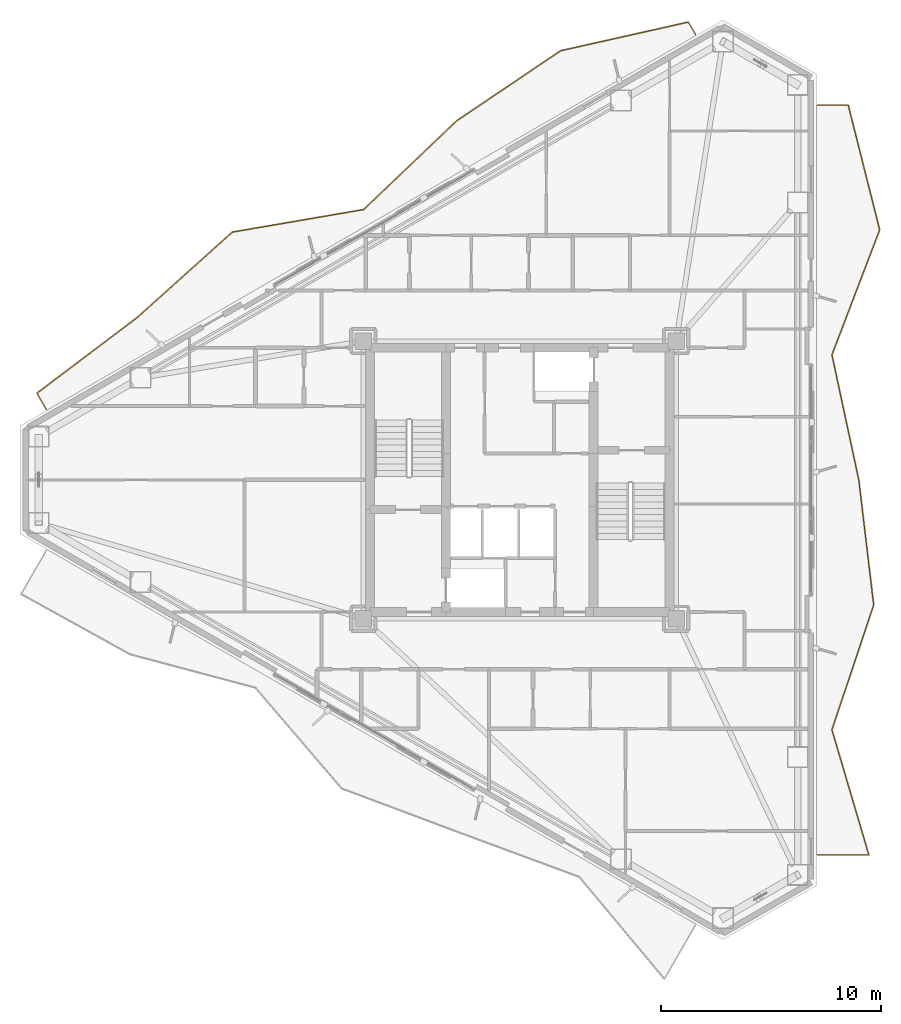
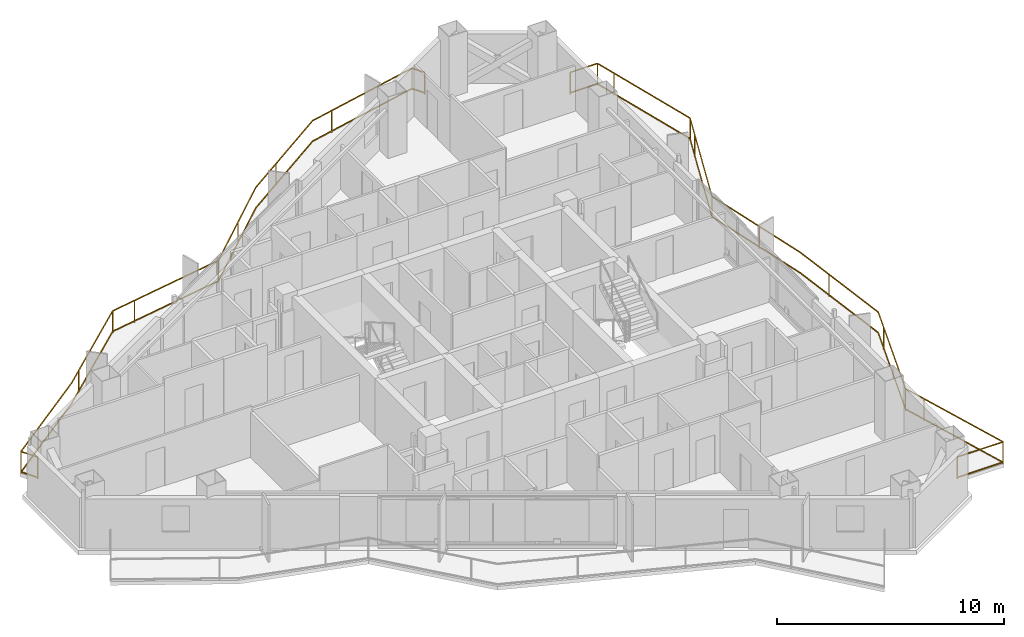
# One storey, part 18 of 18: 2 railings.
"""IFC4 building model written with IfcOpenShell, lengths in metres."""

from ifc_helpers import new_model, si_unit, direction, frame, origin, origin_2d, place, context, subcontext, project, spatial, rectangle, extrude, material, type_object, element, save


model = new_model("IFC4")

# Units and contexts
model_context = context("Model", 3, precision=1e-05, world=origin(), true_north=direction((0.0, 1.0)))
body_context = subcontext(model_context, "Body", "Model", "MODEL_VIEW")
ifc_project = project(units=[si_unit("LENGTHUNIT", "METRE"), si_unit("AREAUNIT", "SQUARE_METRE"), si_unit("VOLUMEUNIT", "CUBIC_METRE"), si_unit("PLANEANGLEUNIT", "RADIAN"), si_unit("MASSUNIT", "GRAM", prefix="KILO")], contexts=[model_context])

# Site, building, storey
site_placement = place(None, origin())
site = spatial("IfcSite", under=ifc_project, at=site_placement, CompositionType="ELEMENT")
building_placement = place(site_placement, origin())
building = spatial("IfcBuilding", under=site, at=building_placement, Name="Mersakhor Tower and Convention Hall", CompositionType="ELEMENT")
storey_placement = place(building_placement, frame((0.0, 0.0, 134.39990234375)))
storey = spatial("IfcBuildingStorey", under=building, at=storey_placement, Name="L37", CompositionType="ELEMENT", Elevation=134.39990234375)

# Railings
ifc_material = material(Name="Powder-coated galvanised steel and laminated glass balustrade", Category="steel")
railing_type = type_object("IfcRailingType", Name="RL-BAL-1200", PredefinedType="BALUSTRADE", material=ifc_material)
railing_1_placement = place(storey_placement, frame((36.983154296875, 46.969482421875, 0.0)))
element("IfcRailing", 1, at=railing_1_placement, inside=storey, type_object=railing_type, Name="L37 Sinusoidal Balcony Balustrade F1", PredefinedType="BALUSTRADE", context=body_context, shape_type="SweptSolid", body=[
    extrude(rectangle(XDim=0.048095703125, YDim=0.048095703125, at=origin_2d()), frame((0.0, 0.0, 1.17578125), z_axis=(-0.49989585183, 0.866085525409, 0.0), x_axis=(-0.866085525409, -0.49989585183, 0.0)), (0.0, 0.0, 1.0), 0.650146484375),
    extrude(rectangle(XDim=0.048095703125, YDim=0.048095703125, at=origin_2d()), frame((0.0, 0.0, 0.080078125), z_axis=(-0.49989585183, 0.866085525409, 0.0), x_axis=(-0.866085525409, -0.49989585183, 0.0)), (0.0, 0.0, 1.0), 0.650146484375),
    extrude(rectangle(XDim=0.048095703125, YDim=0.048095703125, at=origin_2d()), frame((-0.324951171875, 0.56298828125, 1.17578125), z_axis=(-0.975693677423, -0.219138877967, 0.0), x_axis=(0.219138877967, -0.975693677423, 0.0)), (0.0, 0.0, 1.0), 5.94482421875),
    extrude(rectangle(XDim=0.048095703125, YDim=0.048095703125, at=origin_2d()), frame((-0.324951171875, 0.56298828125, 0.080078125), z_axis=(-0.975693677423, -0.219138877967, 0.0), x_axis=(0.219138877967, -0.975693677423, 0.0)), (0.0, 0.0, 1.0), 5.94482421875),
    extrude(rectangle(XDim=0.048095703125, YDim=0.048095703125, at=origin_2d()), frame((-6.125244140625, -0.73974609375, 1.17578125), z_axis=(-0.82927983237, -0.558833570595, 0.0), x_axis=(0.558833570595, -0.82927983237, 0.0)), (0.0, 0.0, 1.0), 5.688232421875),
    extrude(rectangle(XDim=0.048095703125, YDim=0.048095703125, at=origin_2d()), frame((-6.125244140625, -0.73974609375, 0.080078125), z_axis=(-0.82927983237, -0.558833570595, 0.0), x_axis=(0.558833570595, -0.82927983237, 0.0)), (0.0, 0.0, 1.0), 5.688232421875),
    extrude(rectangle(XDim=0.048095703125, YDim=0.048095703125, at=origin_2d()), frame((-10.84228515625, -3.91845703125, 1.17578125), z_axis=(-0.723653528043, -0.690163438144, 0.0), x_axis=(0.690163438144, -0.723653528043, 0.0)), (0.0, 0.0, 1.0), 5.83935546875),
    extrude(rectangle(XDim=0.048095703125, YDim=0.048095703125, at=origin_2d()), frame((-10.84228515625, -3.91845703125, 0.080078125), z_axis=(-0.723653528043, -0.690163438144, 0.0), x_axis=(0.690163438144, -0.723653528043, 0.0)), (0.0, 0.0, 1.0), 5.83935546875),
    extrude(rectangle(XDim=0.048095703125, YDim=0.048095703125, at=origin_2d()), frame((-15.06787109375, -7.948486328125, 1.17578125), z_axis=(-0.985573623323, -0.169247254069, 0.0), x_axis=(0.169247254069, -0.985573623323, 0.0)), (0.0, 0.0, 1.0), 6.04833984375),
    extrude(rectangle(XDim=0.048095703125, YDim=0.048095703125, at=origin_2d()), frame((-15.06787109375, -7.948486328125, 0.080078125), z_axis=(-0.985573623323, -0.169247254069, 0.0), x_axis=(0.169247254069, -0.985573623323, 0.0)), (0.0, 0.0, 1.0), 6.04833984375),
    extrude(rectangle(XDim=0.048095703125, YDim=0.048095703125, at=origin_2d()), frame((-21.029052734375, -8.97216796875, 1.17578125), z_axis=(-0.743997033769, -0.668182919374, 0.0), x_axis=(0.668182919374, -0.743997033769, 0.0)), (0.0, 0.0, 1.0), 5.799560546875),
    extrude(rectangle(XDim=0.048095703125, YDim=0.048095703125, at=origin_2d()), frame((-21.029052734375, -8.97216796875, 0.080078125), z_axis=(-0.743997033769, -0.668182919374, 0.0), x_axis=(0.668182919374, -0.743997033769, 0.0)), (0.0, 0.0, 1.0), 5.799560546875),
    extrude(rectangle(XDim=0.048095703125, YDim=0.048095703125, at=origin_2d()), frame((-25.343994140625, -12.847412109375, 1.17578125), z_axis=(-0.798167069264, -0.602436162213, 0.0), x_axis=(0.602436162213, -0.798167069264, 0.0)), (0.0, 0.0, 1.0), 5.7177734375),
    extrude(rectangle(XDim=0.048095703125, YDim=0.048095703125, at=origin_2d()), frame((-25.343994140625, -12.847412109375, 0.080078125), z_axis=(-0.798167069264, -0.602436162213, 0.0), x_axis=(0.602436162213, -0.798167069264, 0.0)), (0.0, 0.0, 1.0), 5.7177734375),
    extrude(rectangle(XDim=0.048095703125, YDim=0.048095703125, at=origin_2d()), frame((-29.90771484375, -16.2919921875, 1.17578125), z_axis=(0.500181256421, -0.865920730047, 0.0), x_axis=(0.865920730047, 0.500181256421, 0.0)), (0.0, 0.0, 1.0), 0.844482421875),
    extrude(rectangle(XDim=0.048095703125, YDim=0.048095703125, at=origin_2d()), frame((-29.90771484375, -16.2919921875, 0.080078125), z_axis=(0.500181256421, -0.865920730047, 0.0), x_axis=(0.865920730047, 0.500181256421, 0.0)), (0.0, 0.0, 1.0), 0.844482421875),
    extrude(rectangle(XDim=0.0419921875, YDim=0.0419921875, at=origin_2d()), origin(), (0.0, 0.0, 1.0), 1.15185546875),
    extrude(rectangle(XDim=0.0419921875, YDim=0.0419921875, at=origin_2d()), frame((-0.324951171875, 0.56298828125, 0.0)), (0.0, 0.0, 1.0), 1.15185546875),
    extrude(rectangle(XDim=0.0419921875, YDim=0.0419921875, at=origin_2d()), frame((-5.00830078125, -0.48876953125, 0.0)), (0.0, 0.0, 1.0), 1.15185546875),
    extrude(rectangle(XDim=0.0419921875, YDim=0.0419921875, at=origin_2d()), frame((-9.156494140625, -2.782470703125, 0.0)), (0.0, 0.0, 1.0), 1.15185546875),
    extrude(rectangle(XDim=0.0419921875, YDim=0.0419921875, at=origin_2d()), frame((-12.8447265625, -5.828125, 0.0)), (0.0, 0.0, 1.0), 1.15185546875),
    extrude(rectangle(XDim=0.0419921875, YDim=0.0419921875, at=origin_2d()), frame((-15.06787109375, -7.948486328125, 0.0)), (0.0, 0.0, 1.0), 1.15185546875),
    extrude(rectangle(XDim=0.0419921875, YDim=0.0419921875, at=origin_2d()), frame((-19.798583984375, -8.760986328125, 0.0)), (0.0, 0.0, 1.0), 1.15185546875),
    extrude(rectangle(XDim=0.0419921875, YDim=0.0419921875, at=origin_2d()), frame((-21.029052734375, -8.97216796875, 0.0)), (0.0, 0.0, 1.0), 1.15185546875),
    extrude(rectangle(XDim=0.0419921875, YDim=0.0419921875, at=origin_2d()), frame((-24.600341796875, -12.179443359375, 0.0)), (0.0, 0.0, 1.0), 1.15185546875),
    extrude(rectangle(XDim=0.0419921875, YDim=0.0419921875, at=origin_2d()), frame((-28.377197265625, -15.136962890625, 0.0)), (0.0, 0.0, 1.0), 1.15185546875),
    extrude(rectangle(XDim=0.0419921875, YDim=0.0419921875, at=origin_2d()), frame((-29.90771484375, -16.2919921875, 0.0)), (0.0, 0.0, 1.0), 1.15185546875),
    extrude(rectangle(XDim=0.0419921875, YDim=0.0419921875, at=origin_2d()), frame((-29.4853515625, -17.023193359375, 0.0)), (0.0, 0.0, 1.0), 1.15185546875),
])
railing_2_placement = place(storey_placement, frame((42.519287109375, 9.726806640625, 0.0)))
element("IfcRailing", 2, at=railing_2_placement, inside=storey, type_object=railing_type, Name="L37 Sinusoidal Balcony Balustrade F2", PredefinedType="BALUSTRADE", context=body_context, shape_type="SweptSolid", body=[
    extrude(rectangle(XDim=0.048095703125, YDim=0.048095703125, at=origin_2d()), frame((0.0, 0.0, 1.17578125), z_axis=(1.0, 0.0, 0.0), x_axis=(0.0, 1.0, 0.0)), (0.0, 0.0, 1.0), 2.323974609375),
    extrude(rectangle(XDim=0.048095703125, YDim=0.048095703125, at=origin_2d()), frame((0.0, 0.0, 0.080078125), z_axis=(1.0, 0.0, 0.0), x_axis=(0.0, 1.0, 0.0)), (0.0, 0.0, 1.0), 2.323974609375),
    extrude(rectangle(XDim=0.048095703125, YDim=0.048095703125, at=origin_2d()), frame((2.323974609375, 0.0, 1.17578125), z_axis=(-0.282968304782, 0.959129260574, 0.0), x_axis=(-0.959129260574, -0.282968304782, 0.0)), (0.0, 0.0, 1.0), 5.916015625),
    extrude(rectangle(XDim=0.048095703125, YDim=0.048095703125, at=origin_2d()), frame((2.323974609375, 0.0, 0.080078125), z_axis=(-0.282968304782, 0.959129260574, 0.0), x_axis=(-0.959129260574, -0.282968304782, 0.0)), (0.0, 0.0, 1.0), 5.916015625),
    extrude(rectangle(XDim=0.048095703125, YDim=0.048095703125, at=origin_2d()), frame((0.64990234375, 5.67431640625, 1.17578125), z_axis=(0.3167541446, 0.948507676236, 0.0), x_axis=(-0.948507676236, 0.3167541446, 0.0)), (0.0, 0.0, 1.0), 5.982666015625),
    extrude(rectangle(XDim=0.048095703125, YDim=0.048095703125, at=origin_2d()), frame((0.64990234375, 5.67431640625, 0.080078125), z_axis=(0.3167541446, 0.948507676236, 0.0), x_axis=(-0.948507676236, 0.3167541446, 0.0)), (0.0, 0.0, 1.0), 5.982666015625),
    extrude(rectangle(XDim=0.048095703125, YDim=0.048095703125, at=origin_2d()), frame((2.544921875, 11.348876953125, 1.17578125), z_axis=(-0.11830115414, 0.992977762555, 0.0), x_axis=(-0.992977762555, -0.11830115414, 0.0)), (0.0, 0.0, 1.0), 5.71435546875),
    extrude(rectangle(XDim=0.048095703125, YDim=0.048095703125, at=origin_2d()), frame((2.544921875, 11.348876953125, 0.080078125), z_axis=(-0.11830115414, 0.992977762555, 0.0), x_axis=(-0.992977762555, -0.11830115414, 0.0)), (0.0, 0.0, 1.0), 5.71435546875),
    extrude(rectangle(XDim=0.048095703125, YDim=0.048095703125, at=origin_2d()), frame((1.868896484375, 17.023193359375, 1.17578125), z_axis=(-0.210034671433, 0.977693938202, 0.0), x_axis=(-0.977693938202, -0.210034671433, 0.0)), (0.0, 0.0, 1.0), 5.8037109375),
    extrude(rectangle(XDim=0.048095703125, YDim=0.048095703125, at=origin_2d()), frame((1.868896484375, 17.023193359375, 0.080078125), z_axis=(-0.210034671433, 0.977693938202, 0.0), x_axis=(-0.977693938202, -0.210034671433, 0.0)), (0.0, 0.0, 1.0), 5.8037109375),
    extrude(rectangle(XDim=0.048095703125, YDim=0.048095703125, at=origin_2d()), frame((0.64990234375, 22.697509765625, 1.17578125), z_axis=(0.356680517677, 0.9342264224, 0.0), x_axis=(-0.9342264224, 0.356680517677, 0.0)), (0.0, 0.0, 1.0), 6.073974609375),
    extrude(rectangle(XDim=0.048095703125, YDim=0.048095703125, at=origin_2d()), frame((0.64990234375, 22.697509765625, 0.080078125), z_axis=(0.356680517677, 0.9342264224, 0.0), x_axis=(-0.9342264224, 0.356680517677, 0.0)), (0.0, 0.0, 1.0), 6.073974609375),
    extrude(rectangle(XDim=0.048095703125, YDim=0.048095703125, at=origin_2d()), frame((2.81640625, 28.3720703125, 1.17578125), z_axis=(-0.244321881299, 0.96969418804, 0.0), x_axis=(-0.96969418804, -0.244321881299, 0.0)), (0.0, 0.0, 1.0), 5.8515625),
    extrude(rectangle(XDim=0.048095703125, YDim=0.048095703125, at=origin_2d()), frame((2.81640625, 28.3720703125, 0.080078125), z_axis=(-0.244321881299, 0.96969418804, 0.0), x_axis=(-0.96969418804, -0.244321881299, 0.0)), (0.0, 0.0, 1.0), 5.8515625),
    extrude(rectangle(XDim=0.048095703125, YDim=0.048095703125, at=origin_2d()), frame((1.38671875, 34.04638671875, 1.17578125), z_axis=(-1.0, 0.0, 0.0), x_axis=(0.0, -1.0, 0.0)), (0.0, 0.0, 1.0), 1.38671875),
    extrude(rectangle(XDim=0.048095703125, YDim=0.048095703125, at=origin_2d()), frame((1.38671875, 34.04638671875, 0.080078125), z_axis=(-1.0, 0.0, 0.0), x_axis=(0.0, -1.0, 0.0)), (0.0, 0.0, 1.0), 1.38671875),
    extrude(rectangle(XDim=0.0419921875, YDim=0.0419921875, at=origin_2d()), origin(), (0.0, 0.0, 1.0), 1.15185546875),
    extrude(rectangle(XDim=0.0419921875, YDim=0.0419921875, at=origin_2d()), frame((2.323974609375, 0.0, 0.0)), (0.0, 0.0, 1.0), 1.15185546875),
    extrude(rectangle(XDim=0.0419921875, YDim=0.0419921875, at=origin_2d()), frame((0.9658203125, 4.603759765625, 0.0)), (0.0, 0.0, 1.0), 1.15185546875),
    extrude(rectangle(XDim=0.0419921875, YDim=0.0419921875, at=origin_2d()), frame((0.64990234375, 5.67431640625, 0.0)), (0.0, 0.0, 1.0), 1.15185546875),
    extrude(rectangle(XDim=0.0419921875, YDim=0.0419921875, at=origin_2d()), frame((2.17041015625, 10.22705078125, 0.0)), (0.0, 0.0, 1.0), 1.15185546875),
    extrude(rectangle(XDim=0.0419921875, YDim=0.0419921875, at=origin_2d()), frame((2.116943359375, 14.94091796875, 0.0)), (0.0, 0.0, 1.0), 1.15185546875),
    extrude(rectangle(XDim=0.0419921875, YDim=0.0419921875, at=origin_2d()), frame((1.30126953125, 19.665771484375, 0.0)), (0.0, 0.0, 1.0), 1.15185546875),
    extrude(rectangle(XDim=0.0419921875, YDim=0.0419921875, at=origin_2d()), frame((0.64990234375, 22.697509765625, 0.0)), (0.0, 0.0, 1.0), 1.15185546875),
    extrude(rectangle(XDim=0.0419921875, YDim=0.0419921875, at=origin_2d()), frame((2.362060546875, 27.181884765625, 0.0)), (0.0, 0.0, 1.0), 1.15185546875),
    extrude(rectangle(XDim=0.0419921875, YDim=0.0419921875, at=origin_2d()), frame((2.81640625, 28.3720703125, 0.0)), (0.0, 0.0, 1.0), 1.15185546875),
    extrude(rectangle(XDim=0.0419921875, YDim=0.0419921875, at=origin_2d()), frame((1.6435546875, 33.026611328125, 0.0)), (0.0, 0.0, 1.0), 1.15185546875),
    extrude(rectangle(XDim=0.0419921875, YDim=0.0419921875, at=origin_2d()), frame((1.38671875, 34.04638671875, 0.0)), (0.0, 0.0, 1.0), 1.15185546875),
    extrude(rectangle(XDim=0.0419921875, YDim=0.0419921875, at=origin_2d()), frame((0.0, 34.04638671875, 0.0)), (0.0, 0.0, 1.0), 1.15185546875),
])

save(model, "model.ifc")
